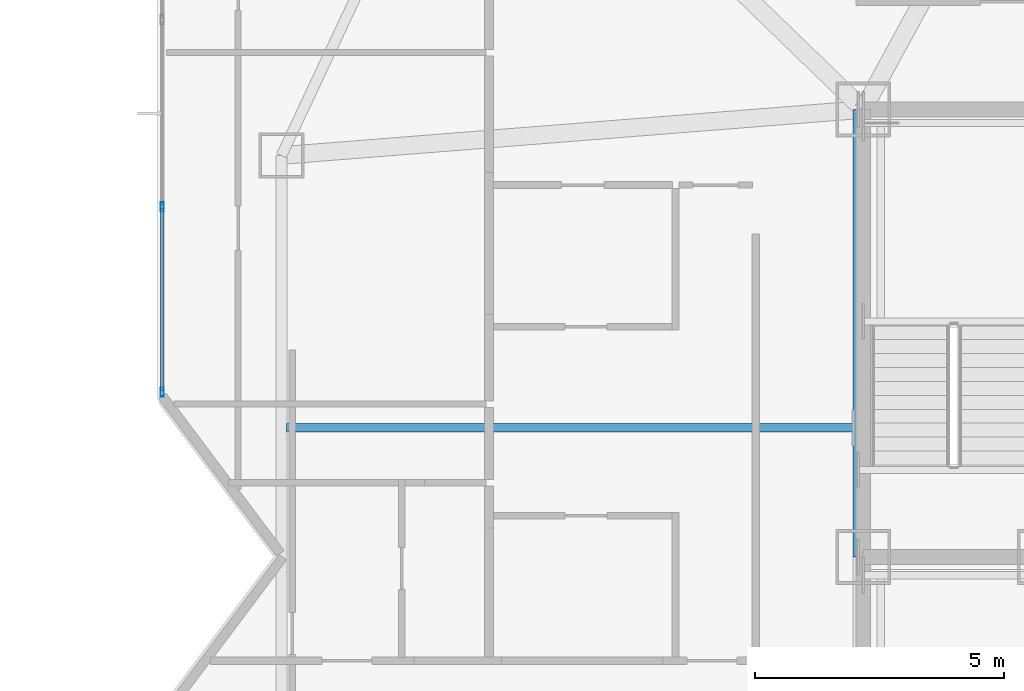
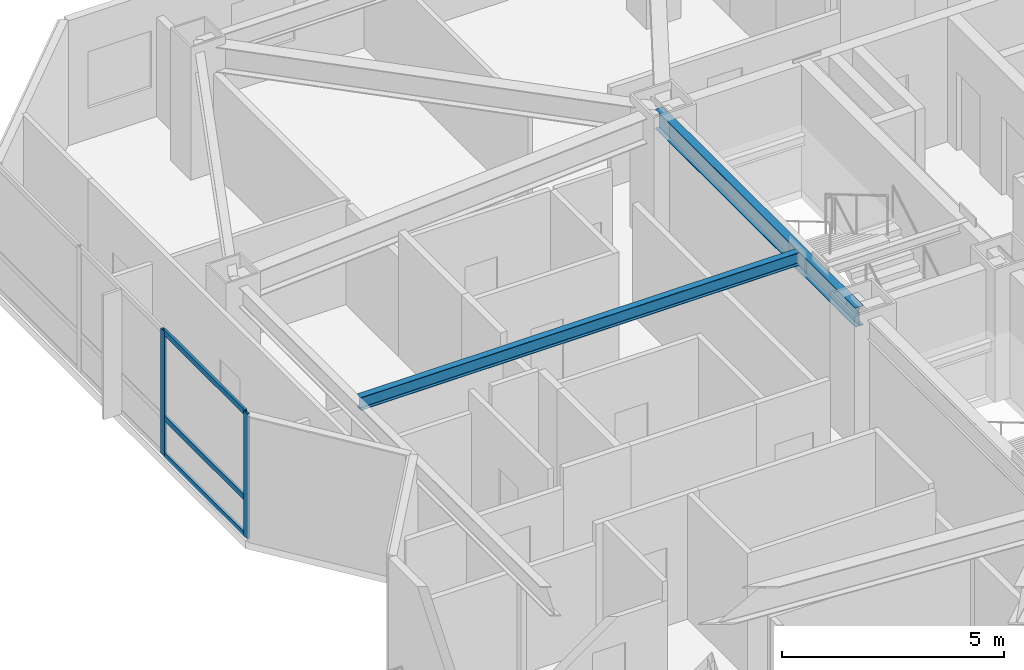
# One storey, part 2 of 18: 5 members, 2 beams, 1 element without a shape of its own.
"""IFC4 building model written with IfcOpenShell, lengths in metres."""

import ifcopenshell
import ifcopenshell.guid

model = None  # the IFC model being written
_history = None  # IfcOwnerHistory: only IFC2X3 demands one
_inside = {}  # id of a spatial element -> (the spatial element, [elements in it])
_under = {}  # id of a project, library or spatial element -> (it, [spatial elements below it])
_declared = {}  # id of a project -> (the project, [libraries it declares])
_typed = {}  # id of a type object -> (the type object, [elements of that type])
_made_of = {}  # id of a material, layer set ... -> (it, [elements and type objects made of it])


def new_model(schema):
    """Start an empty IFC model of exactly this schema.

    Asked for "IFC4X3", IfcOpenShell would pick the latest addendum, in which some entities
    have other attributes; the version numbers below select the first issue.
    IFC2X3 requires an IfcOwnerHistory on every rooted entity: one is made here for all.
    """
    global model, _history
    if schema == "IFC4X3":
        model = ifcopenshell.file(schema_version=(4, 3, 0, 0))
    else:
        model = ifcopenshell.file(schema=schema)
    _inside.clear()
    _under.clear()
    _declared.clear()
    _typed.clear()
    _made_of.clear()
    _history = None
    if model.schema == "IFC2X3":
        org = make("IfcOrganization", Name="unknown")
        user = make(
            "IfcPersonAndOrganization",
            ThePerson=make("IfcPerson", FamilyName="unknown"),
            TheOrganization=org,
        )
        app = make(
            "IfcApplication",
            ApplicationDeveloper=org,
            Version="unknown",
            ApplicationFullName="unknown",
            ApplicationIdentifier="unknown",
        )
        _history = make(
            "IfcOwnerHistory",
            OwningUser=user,
            OwningApplication=app,
            ChangeAction="ADDED",
            CreationDate=0,
        )
    return model


def make(cls, **values):
    """One entity of the class cls with the attributes given. An attribute that is None is left unset."""
    return model.create_entity(
        cls, **{name: value for name, value in values.items() if value is not None}
    )


def rooted(cls, **values):
    """An entity with a GlobalId (a new one), such as an element, a storey or a relation."""
    return make(cls, GlobalId=ifcopenshell.guid.new(), OwnerHistory=_history, **values)


def si_unit(unit_type, name, prefix=None):
    """IfcSIUnit, for example si_unit("LENGTHUNIT", "METRE", prefix="MILLI")."""
    return make("IfcSIUnit", UnitType=unit_type, Prefix=prefix, Name=name)


def assignment(units):
    """IfcUnitAssignment: the units of a project."""
    return None if units is None else make("IfcUnitAssignment", Units=units)


def point(xyz):
    """IfcCartesianPoint."""
    return None if xyz is None else make("IfcCartesianPoint", Coordinates=xyz)


def direction(xyz):
    """IfcDirection."""
    return None if xyz is None else make("IfcDirection", DirectionRatios=xyz)


def frame(location, z_axis=None, x_axis=None):
    """IfcAxis2Placement3D, a coordinate frame: its origin and axes. An axis left out is left unset."""
    return make(
        "IfcAxis2Placement3D",
        Location=point(location),
        Axis=direction(z_axis),
        RefDirection=direction(x_axis),
    )


def frame_2d(location, x_axis=None):
    """IfcAxis2Placement2D, a coordinate frame in the plane: its origin and x axis."""
    return make(
        "IfcAxis2Placement2D", Location=point(location), RefDirection=direction(x_axis)
    )


def origin():
    """The frame at (0, 0, 0) with its axes left unset."""
    return frame((0.0, 0.0, 0.0))


def origin_2d():
    """The frame at (0, 0) in the plane with its x axis left unset."""
    return frame_2d((0.0, 0.0))


def place(relative_to, where):
    """IfcLocalPlacement: puts the frame where relative to a parent placement (None: the world)."""
    return make(
        "IfcLocalPlacement", PlacementRelTo=relative_to, RelativePlacement=where
    )


def context(
    kind, dimensions, precision=None, world=None, true_north=None, identifier=None
):
    """IfcGeometricRepresentationContext, for example the 3D "Model" context."""
    return make(
        "IfcGeometricRepresentationContext",
        ContextIdentifier=identifier,
        ContextType=kind,
        CoordinateSpaceDimension=dimensions,
        Precision=precision,
        WorldCoordinateSystem=world,
        TrueNorth=true_north,
    )


def subcontext(parent, identifier, kind, view, scale=None):
    """IfcGeometricRepresentationSubContext, for example "Body" below "Model"."""
    return make(
        "IfcGeometricRepresentationSubContext",
        ContextIdentifier=identifier,
        ContextType=kind,
        ParentContext=parent,
        TargetScale=scale,
        TargetView=view,
    )


def project(units=None, contexts=None):
    """IfcProject with its units and contexts."""
    return rooted(
        "IfcProject",
        Name="project",
        RepresentationContexts=contexts,
        UnitsInContext=assignment(units),
    )


def spatial(cls, under=None, at=None, **own):
    """A site, building, storey or space (cls), placed at a placement, below another one or the project."""
    s = rooted(cls, ObjectPlacement=at, **own)
    if under is not None:
        _under.setdefault(under.id(), (under, []))[1].append(s)
    return s


def profile(cls, at=None, kind="AREA", **sizes):
    """A parametric profile (cls). Its sizes go by their IFC names, for example OverallWidth=200.0."""
    return make(cls, ProfileType=kind, Position=at, **sizes)


def hollow_rectangle(**sizes):
    """IfcRectangleHollowProfileDef."""
    return profile("IfcRectangleHollowProfileDef", **sizes)


def i_section(**sizes):
    """IfcIShapeProfileDef."""
    return profile("IfcIShapeProfileDef", **sizes)


def extrude(swept, where, along, depth):
    """IfcExtrudedAreaSolid: the profile swept, set in the frame where, extruded along a direction by depth."""
    return make(
        "IfcExtrudedAreaSolid",
        SweptArea=swept,
        Position=where,
        ExtrudedDirection=direction(along),
        Depth=depth,
    )


def shape(context_of_items, identifier, shape_type, items):
    """IfcShapeRepresentation: the items that make up one representation, for example the "Body"."""
    return make(
        "IfcShapeRepresentation",
        ContextOfItems=context_of_items,
        RepresentationIdentifier=identifier,
        RepresentationType=shape_type,
        Items=items,
    )


def material(Name=None, Category=None):
    """IfcMaterial."""
    return make("IfcMaterial", Name=Name, Category=Category)


def material_profile(
    of_material, cross_section, Name=None, Category=None, Priority=None
):
    """IfcMaterialProfile: a cross section and its material."""
    return make(
        "IfcMaterialProfile",
        Name=Name,
        Material=of_material,
        Profile=cross_section,
        Priority=Priority,
        Category=Category,
    )


def profile_set(profiles, Name=None, composite=None):
    """IfcMaterialProfileSet."""
    return make(
        "IfcMaterialProfileSet",
        Name=Name,
        MaterialProfiles=profiles,
        CompositeProfile=composite,
    )


def made_of(thing, what):
    """Note that an element or type object is made of a material, layer set ...; save() writes the relation."""
    if what is not None:
        _made_of.setdefault(what.id(), (what, []))[1].append(thing)
    return thing


def type_object(cls, material=None, **own):
    """A type object (cls), such as IfcWallType, which elements share."""
    return made_of(rooted(cls, **own), material)


def element(
    cls,
    number,
    at=None,
    inside=None,
    cuts=None,
    type_object=None,
    material=None,
    context=None,
    identifier="Body",
    shape_type=None,
    held_by="IfcProductDefinitionShape",
    body=None,
    shapes=None,
    **own,
):
    """One element of the class cls, such as IfcWall. Its Tag is "e" and its number.

    at: its placement. inside: the storey or other place that contains it. cuts: it is an
    opening in that element (IfcRelVoidsElement). A single representation is given by context,
    identifier, shape_type and body (its items); several are given by shapes. held_by: the class
    of the entity that holds the representations. save() writes the other relations.
    """
    e = rooted(cls, Tag="e%d" % number, ObjectPlacement=at, **own)
    if body is not None:
        shapes = [shape(context, identifier, shape_type, body)]
    if shapes is not None:
        e.Representation = make(held_by, Representations=shapes)
    if inside is not None:
        _inside.setdefault(inside.id(), (inside, []))[1].append(e)
    if cuts is not None:
        rooted(
            "IfcRelVoidsElement", RelatingBuildingElement=cuts, RelatedOpeningElement=e
        )
    if type_object is not None:
        _typed.setdefault(type_object.id(), (type_object, []))[1].append(e)
    return made_of(e, material)


def aggregate(whole, parts):
    """IfcRelAggregates: a whole, such as a stair, and the parts it consists of."""
    return rooted("IfcRelAggregates", RelatingObject=whole, RelatedObjects=parts)


def save(model, path):
    """Write the relations noted so far, then the file.

    IfcRelAggregates (storeys below a building ...), IfcRelContainedInSpatialStructure (elements
    in a storey), IfcRelDefinesByType, IfcRelAssociatesMaterial and IfcRelDeclares: one each for
    every whole, place, type object, material and project.
    """
    for whole, parts in _under.values():
        aggregate(whole, parts)
    for where, things in _inside.values():
        rooted(
            "IfcRelContainedInSpatialStructure",
            RelatedElements=things,
            RelatingStructure=where,
        )
    for kind, things in _typed.values():
        rooted("IfcRelDefinesByType", RelatedObjects=things, RelatingType=kind)
    for what, things in _made_of.values():
        rooted("IfcRelAssociatesMaterial", RelatedObjects=things, RelatingMaterial=what)
    for by, libraries in _declared.values():
        rooted("IfcRelDeclares", RelatingContext=by, RelatedDefinitions=libraries)
    model.write(path)


model = new_model("IFC4")

# Units and contexts
model_context = context("Model", 3, precision=1e-05, world=origin(), true_north=direction((0.0, 1.0)))
body_context = subcontext(model_context, "Body", "Model", "MODEL_VIEW")
ifc_project = project(units=[si_unit("LENGTHUNIT", "METRE"), si_unit("AREAUNIT", "SQUARE_METRE"), si_unit("VOLUMEUNIT", "CUBIC_METRE"), si_unit("PLANEANGLEUNIT", "RADIAN"), si_unit("MASSUNIT", "GRAM", prefix="KILO")], contexts=[model_context])

# Site, building, storey
site_placement = place(None, origin())
site = spatial("IfcSite", under=ifc_project, at=site_placement, CompositionType="ELEMENT")
building_placement = place(site_placement, origin())
building = spatial("IfcBuilding", under=site, at=building_placement, Name="Khamvora Tower", CompositionType="ELEMENT")
storey_placement = place(building_placement, frame((0.0, 0.0, 181.449951171875)))
storey = spatial("IfcBuildingStorey", under=building, at=storey_placement, Name="L46", CompositionType="ELEMENT", Elevation=181.449951171875)

# Beams
ifc_material_1 = material(Name="Steel S355", Category="steel")
ifc_material_profile_1 = material_profile(ifc_material_1, i_section(OverallWidth=0.1708984375, OverallDepth=0.35498046875, WebThickness=0.007080078125, FlangeThickness=0.011962890625, FilletRadius=0.010009765625, at=origin_2d()), Name="W360x51")
ifc_profile_set_1 = profile_set([ifc_material_profile_1], Name="Steel S355")
beam_type_1 = type_object("IfcBeamType", Name="BM-JS-W360x51", PredefinedType="JOIST", material=ifc_profile_set_1)
beam_1_placement = place(storey_placement, frame((17.40087890625, 30.60009765625, 3.251953125), z_axis=(1.0, 0.0, 0.0), x_axis=(0.0, 1.0, 0.0)))
element("IfcBeam", 1, at=beam_1_placement, inside=storey, type_object=beam_type_1, Name="L46 secondary floor joist 04", PredefinedType="JOIST", context=body_context, shape_type="SweptSolid", body=[
    extrude(i_section(OverallWidth=0.1708984375, OverallDepth=0.35498046875, WebThickness=0.007080078125, FlangeThickness=0.011962890625, FilletRadius=0.010009765625, at=origin_2d()), origin(), (0.0, 0.0, 1.0), 11.399169921875),
])
ifc_material_profile_2 = material_profile(ifc_material_1, i_section(OverallWidth=0.208984375, OverallDepth=0.532958984375, WebThickness=0.010009765625, FlangeThickness=0.01611328125, FilletRadius=0.013916015625, at=origin_2d()), Name="W530x92")
ifc_profile_set_2 = profile_set([ifc_material_profile_2], Name="Steel S355")
beam_type_2 = type_object("IfcBeamType", Name="BM-SP-W530x92", PredefinedType="SPANDREL", material=ifc_profile_set_2)
beam_2_placement = place(storey_placement, frame((28.89990234375, 28.0, 3.1630859375), z_axis=(0.0, 1.0, 0.0), x_axis=(-1.0, 0.0, 0.0)))
element("IfcBeam", 2, at=beam_2_placement, inside=storey, type_object=beam_type_2, Name="L46 core spine girder WN", PredefinedType="SPANDREL", context=body_context, shape_type="SweptSolid", body=[
    extrude(i_section(OverallWidth=0.208984375, OverallDepth=0.532958984375, WebThickness=0.010009765625, FlangeThickness=0.01611328125, FilletRadius=0.013916015625, at=origin_2d()), origin(), (0.0, 0.0, 1.0), 9.0),
])

# Curtain wall, members
ifc_material_2 = material(Name="Anodised Aluminium 6063-T6", Category="aluminium")
curtain_wall_type = type_object("IfcCurtainWallType", Name="CW-SYS-04", PredefinedType="NOTDEFINED", material=ifc_material_2)
curtain_wall_placement = place(storey_placement, origin())
curtain_wall = element("IfcCurtainWall", 3, at=curtain_wall_placement, inside=storey, type_object=curtain_wall_type, Name="L46 stick curtain wall 05.1", PredefinedType="NOTDEFINED")
ifc_material_profile_3 = material_profile(ifc_material_2, hollow_rectangle(XDim=0.06494140625, YDim=0.179931640625, WallThickness=0.0048828125, at=origin_2d()), Name="MUL65x180x5")
ifc_profile_set_3 = profile_set([ifc_material_profile_3], Name="Anodised Aluminium 6063-T6")
member_type_1 = type_object("IfcMemberType", Name="CW-SYS-04-MUL", PredefinedType="MULLION", material=ifc_profile_set_3)
member_1_placement = place(storey_placement, frame((14.89990234375, 31.31640625, 0.0), z_axis=(0.0, 0.0, 1.0), x_axis=(-1.0, 0.0, 0.0)))
member_1 = element("IfcMember", 4, at=member_1_placement, type_object=member_type_1, Name="CW-04 mullion 1", PredefinedType="MULLION", context=body_context, shape_type="SweptSolid", body=[
    extrude(hollow_rectangle(XDim=0.06494140625, YDim=0.179931640625, WallThickness=0.0048828125, at=origin_2d()), origin(), (0.0, 0.0, 1.0), 3.429931640625),
])
member_2_placement = place(storey_placement, frame((14.89990234375, 35.042236328125, 0.0), z_axis=(0.0, 0.0, 1.0), x_axis=(-1.0, 0.0, 0.0)))
member_2 = element("IfcMember", 5, at=member_2_placement, type_object=member_type_1, Name="CW-04 mullion 2", PredefinedType="MULLION", context=body_context, shape_type="SweptSolid", body=[
    extrude(hollow_rectangle(XDim=0.06494140625, YDim=0.179931640625, WallThickness=0.0048828125, at=origin_2d()), origin(), (0.0, 0.0, 1.0), 3.429931640625),
])
ifc_material_profile_4 = material_profile(ifc_material_2, hollow_rectangle(XDim=0.06494140625, YDim=0.14990234375, WallThickness=0.0048828125, at=origin_2d()), Name="TRN65x150x5")
ifc_profile_set_4 = profile_set([ifc_material_profile_4], Name="Anodised Aluminium 6063-T6")
member_type_2 = type_object("IfcMemberType", Name="CW-SYS-04-TRN", PredefinedType="USERDEFINED", material=ifc_profile_set_4)
member_3_placement = place(storey_placement, frame((14.89990234375, 31.34912109375, 0.032470703125), z_axis=(0.0, 1.0, 0.0), x_axis=(-1.0, 0.0, 0.0)))
member_3 = element("IfcMember", 6, at=member_3_placement, type_object=member_type_2, Name="CW-04 transom 1.1", ObjectType="TRANSOM", PredefinedType="USERDEFINED", context=body_context, shape_type="SweptSolid", body=[
    extrude(hollow_rectangle(XDim=0.06494140625, YDim=0.14990234375, WallThickness=0.0048828125, at=origin_2d()), origin(), (0.0, 0.0, 1.0), 3.66064453125),
])
member_4_placement = place(storey_placement, frame((14.89990234375, 31.34912109375, 1.050048828125), z_axis=(0.0, 1.0, 0.0), x_axis=(-1.0, 0.0, 0.0)))
member_4 = element("IfcMember", 7, at=member_4_placement, type_object=member_type_2, Name="CW-04 transom 1.2", ObjectType="TRANSOM", PredefinedType="USERDEFINED", context=body_context, shape_type="SweptSolid", body=[
    extrude(hollow_rectangle(XDim=0.06494140625, YDim=0.14990234375, WallThickness=0.0048828125, at=origin_2d()), origin(), (0.0, 0.0, 1.0), 3.66064453125),
])
member_5_placement = place(storey_placement, frame((14.89990234375, 31.34912109375, 3.3974609375), z_axis=(0.0, 1.0, 0.0), x_axis=(-1.0, 0.0, 0.0)))
member_5 = element("IfcMember", 8, at=member_5_placement, type_object=member_type_2, Name="CW-04 transom 1.3", ObjectType="TRANSOM", PredefinedType="USERDEFINED", context=body_context, shape_type="SweptSolid", body=[
    extrude(hollow_rectangle(XDim=0.06494140625, YDim=0.14990234375, WallThickness=0.0048828125, at=origin_2d()), origin(), (0.0, 0.0, 1.0), 3.66064453125),
])
aggregate(curtain_wall, [member_1, member_2, member_3, member_4, member_5])

save(model, "model.ifc")
